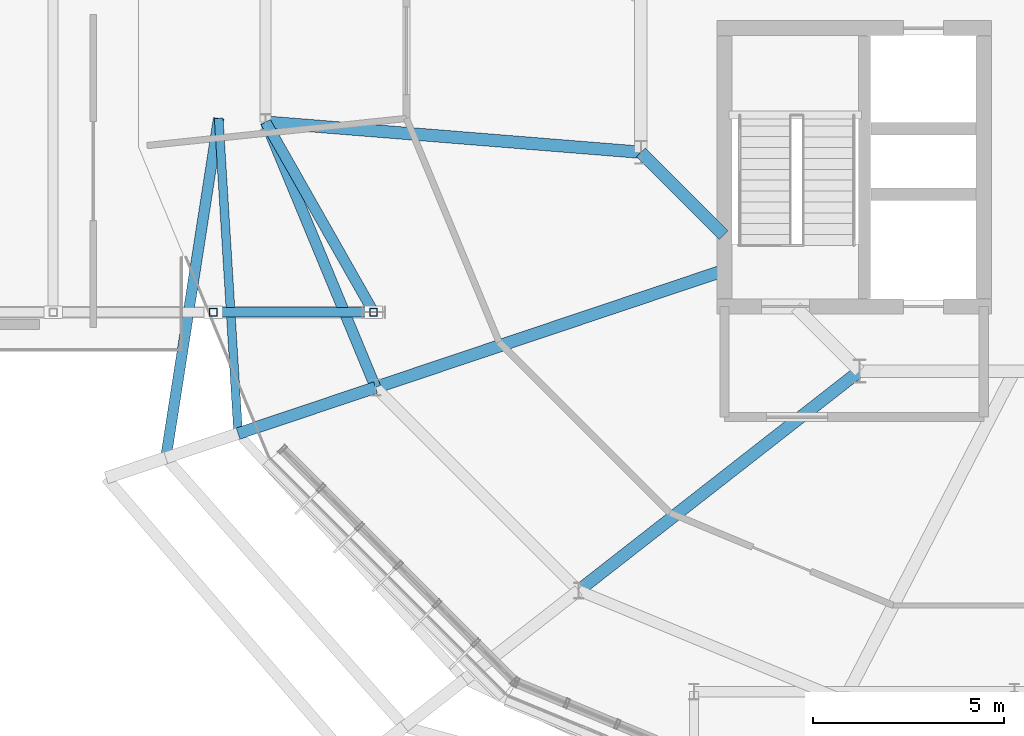
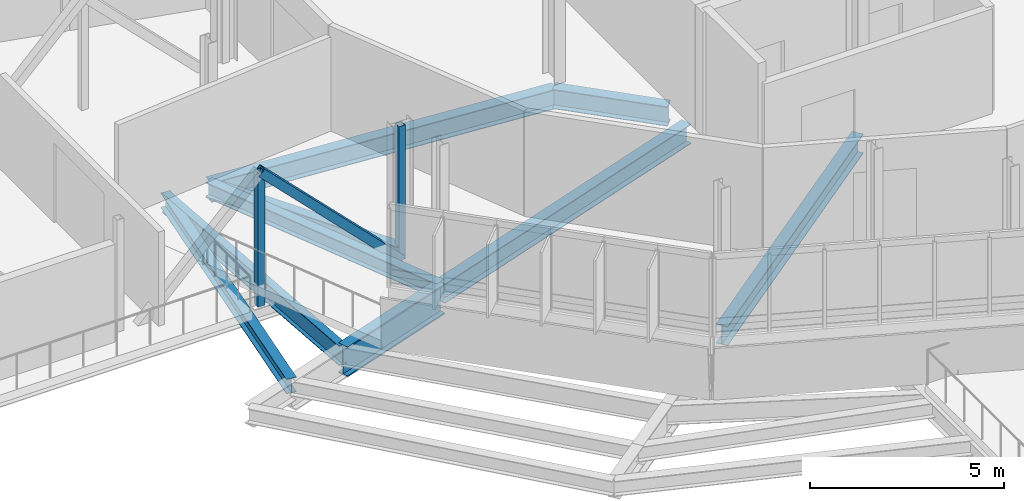
# One storey, part 21 of 107: 9 beams, 3 members.
"""IFC4 building model written with IfcOpenShell, lengths in metres."""

from ifc_helpers import new_model, si_unit, derived_unit, direction, frame, origin, origin_2d, place, context, subcontext, project, spatial, hollow_rectangle, i_section, extrude, material, material_profile, profile_set, type_object, element, save


model = new_model("IFC4")

# Units and contexts
model_context = context("Model", 3, precision=1e-05, world=origin(), true_north=direction((0.0, 1.0)))
body_context = subcontext(model_context, "Body", "Model", "MODEL_VIEW")
ifc_project = project(units=[si_unit("LENGTHUNIT", "METRE"), si_unit("AREAUNIT", "SQUARE_METRE"), si_unit("VOLUMEUNIT", "CUBIC_METRE"), si_unit("PLANEANGLEUNIT", "RADIAN"), si_unit("MASSUNIT", "GRAM", prefix="KILO"), derived_unit("THERMALTRANSMITTANCEUNIT", [(si_unit("MASSUNIT", "GRAM", prefix="KILO"), 1), (si_unit("TIMEUNIT", "SECOND"), -3), (si_unit("THERMODYNAMICTEMPERATUREUNIT", "KELVIN"), -1)])], contexts=[model_context])

# Site, building, storey
site_placement = place(None, origin())
site = spatial("IfcSite", under=ifc_project, at=site_placement, CompositionType="ELEMENT")
building_placement = place(site_placement, origin())
building = spatial("IfcBuilding", under=site, at=building_placement, Name="Makaiwela Harbour Ferry Terminal", CompositionType="ELEMENT")
storey_placement = place(building_placement, frame((0.0, 0.0, 9.60009765625)))
storey = spatial("IfcBuildingStorey", under=building, at=storey_placement, Name="L02", CompositionType="ELEMENT", Elevation=9.60009765625)

# Beams
ifc_material_1 = material(Name="Steel ASTM A992 Grade 50", Category="steel")
ifc_material_profile_1 = material_profile(ifc_material_1, i_section(OverallWidth=0.280029296875, OverallDepth=0.462890625, WebThickness=0.0107421875, FlangeThickness=0.017333984375, at=origin_2d()), Name="W18X76")
ifc_profile_set_1 = profile_set([ifc_material_profile_1], Name="Steel ASTM A992 Grade 50")
beam_type_1 = type_object("IfcBeamType", Name="STR-BM-W18X76", PredefinedType="BEAM", material=ifc_profile_set_1)
beam_1_placement = place(storey_placement, frame((16.93994140625, 64.433837890625, -0.49169921875), z_axis=(-0.153808132942, -0.988100732841, 0.0), x_axis=(0.988100732841, -0.153808132942, 0.0)))
element("IfcBeam", 1, at=beam_1_placement, inside=storey, type_object=beam_type_1, Name="Drum stage2 tie girder 213", PredefinedType="BEAM", context=body_context, shape_type="SweptSolid", body=[
    extrude(i_section(OverallWidth=0.280029296875, OverallDepth=0.462890625, WebThickness=0.0107421875, FlangeThickness=0.017333984375, at=origin_2d()), origin(), (0.0, 0.0, 1.0), 9.009521484375),
])
beam_2_placement = place(storey_placement, frame((21.0, 59.35009765625, -0.49169921875), z_axis=(-0.493604648707, 0.869686409446, 0.0), x_axis=(-0.869686409446, -0.493604648707, 0.0)))
element("IfcBeam", 2, at=beam_2_placement, inside=storey, type_object=beam_type_1, Name="West bridge drum tie 238", PredefinedType="BEAM", context=body_context, shape_type="SweptSolid", body=[
    extrude(i_section(OverallWidth=0.280029296875, OverallDepth=0.462890625, WebThickness=0.0107421875, FlangeThickness=0.017333984375, at=origin_2d()), origin(), (0.0, 0.0, 1.0), 5.7314453125),
])

# Member
ifc_material_2 = material(Name="Steel ASTM A500 Grade C", Category="steel")
ifc_material_profile_2 = material_profile(ifc_material_2, hollow_rectangle(XDim=0.25390625, YDim=0.25390625, WallThickness=0.0146484375, at=origin_2d()), Name="HSS10X10X5/8")
ifc_profile_set_2 = profile_set([ifc_material_profile_2], Name="Steel ASTM A500 Grade C")
member_type_1 = type_object("IfcMemberType", Name="STR-BRC-HSS10", PredefinedType="BRACE", material=ifc_profile_set_2)
member_placement = place(storey_placement, frame((21.0, 59.35009765625, -0.685546875), z_axis=(-0.705423542875, 0.0, 0.708786022124), x_axis=(0.0, -1.0, 0.0)))
element("IfcMember", 3, at=member_placement, inside=storey, type_object=member_type_1, Name="Structural Member BR-01", PredefinedType="BRACE", context=body_context, shape_type="SweptSolid", body=[
    extrude(hollow_rectangle(XDim=0.25390625, YDim=0.25390625, WallThickness=0.0146484375, at=origin_2d()), origin(), (0.0, 0.0, 1.0), 5.953857421875),
])

# Beams
ifc_material_profile_3 = material_profile(ifc_material_1, i_section(OverallWidth=0.324951171875, OverallDepth=0.615966796875, WebThickness=0.013916015625, FlangeThickness=0.021484375, at=origin_2d()), Name="W24X117")
ifc_profile_set_3 = profile_set([ifc_material_profile_3], Name="Steel ASTM A992 Grade 50")
beam_type_2 = type_object("IfcBeamType", Name="STR-GRD-W24X117", PredefinedType="USERDEFINED", material=ifc_profile_set_3)
beam_3_placement = place(storey_placement, frame((28.0068359375, 63.543701171875, -0.568115234375), z_axis=(0.707106781187, -0.707106781187, 0.0), x_axis=(0.707106781187, 0.707106781187, 0.0)))
element("IfcBeam", 4, at=beam_3_placement, inside=storey, type_object=beam_type_2, Name="Drum inner ring girder 127", ObjectType="GIRDER", PredefinedType="USERDEFINED", context=body_context, shape_type="SweptSolid", body=[
    extrude(i_section(OverallWidth=0.324951171875, OverallDepth=0.615966796875, WebThickness=0.013916015625, FlangeThickness=0.021484375, at=origin_2d()), origin(), (0.0, 0.0, 1.0), 3.0732421875),
])
beam_4_placement = place(storey_placement, frame((28.0068359375, 63.543701171875, -0.568115234375), z_axis=(-0.996781835671, 0.080162161129, 0.0), x_axis=(-0.080162161129, -0.996781835671, 0.0)))
element("IfcBeam", 5, at=beam_4_placement, inside=storey, type_object=beam_type_2, Name="Drum radial girder 174", ObjectType="GIRDER", PredefinedType="USERDEFINED", context=body_context, shape_type="SweptSolid", body=[
    extrude(i_section(OverallWidth=0.324951171875, OverallDepth=0.615966796875, WebThickness=0.013916015625, FlangeThickness=0.021484375, at=origin_2d()), origin(), (0.0, 0.0, 1.0), 9.86767578125),
])
beam_5_placement = place(storey_placement, frame((30.159912109375, 60.43505859375, -0.568115234375), z_axis=(-0.948000034107, -0.31827022376, 0.0), x_axis=(0.31827022376, -0.948000034107, 0.0)))
element("IfcBeam", 6, at=beam_5_placement, inside=storey, type_object=beam_type_2, Name="Drum radial girder 175", ObjectType="GIRDER", PredefinedType="USERDEFINED", context=body_context, shape_type="SweptSolid", body=[
    extrude(i_section(OverallWidth=0.324951171875, OverallDepth=0.615966796875, WebThickness=0.013916015625, FlangeThickness=0.021484375, at=origin_2d()), origin(), (0.0, 0.0, 1.0), 9.60693359375),
])
beam_6_placement = place(storey_placement, frame((33.74365234375, 57.806884765625, -0.568115234375), z_axis=(-0.78804813165, -0.615613630618, 0.0), x_axis=(0.615613630618, -0.78804813165, 0.0)))
element("IfcBeam", 7, at=beam_6_placement, inside=storey, type_object=beam_type_2, Name="Drum radial girder 179", ObjectType="GIRDER", PredefinedType="USERDEFINED", context=body_context, shape_type="SweptSolid", body=[
    extrude(i_section(OverallWidth=0.324951171875, OverallDepth=0.615966796875, WebThickness=0.013916015625, FlangeThickness=0.021484375, at=origin_2d()), origin(), (0.0, 0.0, 1.0), 9.347412109375),
])
ifc_material_profile_4 = material_profile(ifc_material_1, i_section(OverallWidth=0.22900390625, OverallDepth=0.612060546875, WebThickness=0.011962890625, FlangeThickness=0.01953125, at=origin_2d()), Name="W24X84")
ifc_profile_set_4 = profile_set([ifc_material_profile_4], Name="Steel ASTM A992 Grade 50")
beam_type_3 = type_object("IfcBeamType", Name="STR-GRD-W24X84", PredefinedType="USERDEFINED", material=ifc_profile_set_4)
beam_7_placement = place(storey_placement, frame((16.93994140625, 64.433837890625, -0.566162109375), z_axis=(0.061614751094, -0.998100006236, 0.0), x_axis=(0.998100006236, 0.061614751094, 0.0)))
element("IfcBeam", 8, at=beam_7_placement, inside=storey, type_object=beam_type_3, Name="Drum overhang tie girder 212", ObjectType="GIRDER", PredefinedType="USERDEFINED", context=body_context, shape_type="SweptSolid", body=[
    extrude(i_section(OverallWidth=0.22900390625, OverallDepth=0.612060546875, WebThickness=0.011962890625, FlangeThickness=0.01953125, at=origin_2d()), origin(), (0.0, 0.0, 1.0), 8.28125),
])
ifc_material_profile_5 = material_profile(ifc_material_1, i_section(OverallWidth=0.31005859375, OverallDepth=0.949951171875, WebThickness=0.0244140625, FlangeThickness=0.0439453125, at=origin_2d()), Name="W36X256")
ifc_profile_set_5 = profile_set([ifc_material_profile_5], Name="Steel ASTM A992 Grade 50")
beam_type_4 = type_object("IfcBeamType", Name="STR-GRD-W36X256", PredefinedType="USERDEFINED", material=ifc_profile_set_5)
beam_8_placement = place(storey_placement, frame((21.052490234375, 57.37744140625, -0.735107421875), z_axis=(-0.948012977156, -0.318231668984, 0.0), x_axis=(0.318231668984, -0.948012977156, 0.0)))
element("IfcBeam", 9, at=beam_8_placement, inside=storey, type_object=beam_type_4, Name="Drum radial overhang 176", ObjectType="GIRDER", PredefinedType="USERDEFINED", context=body_context, shape_type="SweptSolid", body=[
    extrude(i_section(OverallWidth=0.31005859375, OverallDepth=0.949951171875, WebThickness=0.0244140625, FlangeThickness=0.0439453125, at=origin_2d()), origin(), (0.0, 0.0, 1.0), 3.7998046875),
])

# Members
ifc_material_profile_6 = material_profile(ifc_material_2, hollow_rectangle(XDim=0.202880859375, YDim=0.202880859375, WallThickness=0.01171875, at=origin_2d()), Name="HSS8X8X1/2")
ifc_profile_set_6 = profile_set([ifc_material_profile_6], Name="Steel ASTM A500 Grade C")
member_type_2 = type_object("IfcMemberType", Name="STR-PST-HSS8", PredefinedType="POST", material=ifc_profile_set_6)
for number, where, z_axis, x_axis, name in (
    (10, (21.0, 59.35009765625, -0.685546875), (0.0, 0.0, 1.0), (1.0, 0.0, 0.0), "Structural Member PS-01"),
    (11, (16.800048828125, 59.35009765625, -0.685546875), (0.0, 0.0, 1.0), (1.0, 0.0, 0.0), "Structural Member PS-01"),
):
    element("IfcMember", number, at=place(storey_placement, frame(where, z_axis=z_axis, x_axis=x_axis)), inside=storey, type_object=member_type_2, Name=name, PredefinedType="POST", context=body_context, shape_type="SweptSolid", body=[
        extrude(hollow_rectangle(XDim=0.202880859375, YDim=0.202880859375, WallThickness=0.01171875, at=origin_2d()), origin(), (0.0, 0.0, 1.0), 4.219970703125),
    ])

# Beam
ifc_material_profile_7 = material_profile(ifc_material_1, i_section(OverallWidth=0.283935546875, OverallDepth=0.47607421875, WebThickness=0.014892578125, FlangeThickness=0.02392578125, at=origin_2d()), Name="W18X106")
ifc_profile_set_7 = profile_set([ifc_material_profile_7], Name="Steel ASTM A992 Grade 50")
beam_type_5 = type_object("IfcBeamType", Name="STR-SPN-W18X106", PredefinedType="SPANDREL", material=ifc_profile_set_7)
beam_9_placement = place(storey_placement, frame((18.1708984375, 64.334716796875, -0.498046875), z_axis=(0.382660079618, -0.92388920519, 0.0), x_axis=(0.92388920519, 0.382660079618, 0.0)))
element("IfcBeam", 12, at=beam_9_placement, inside=storey, type_object=beam_type_5, Name="Drum column ring girder 140", PredefinedType="SPANDREL", context=body_context, shape_type="SweptSolid", body=[
    extrude(i_section(OverallWidth=0.283935546875, OverallDepth=0.47607421875, WebThickness=0.014892578125, FlangeThickness=0.02392578125, at=origin_2d()), origin(), (0.0, 0.0, 1.0), 7.530517578125),
])

save(model, "model.ifc")
